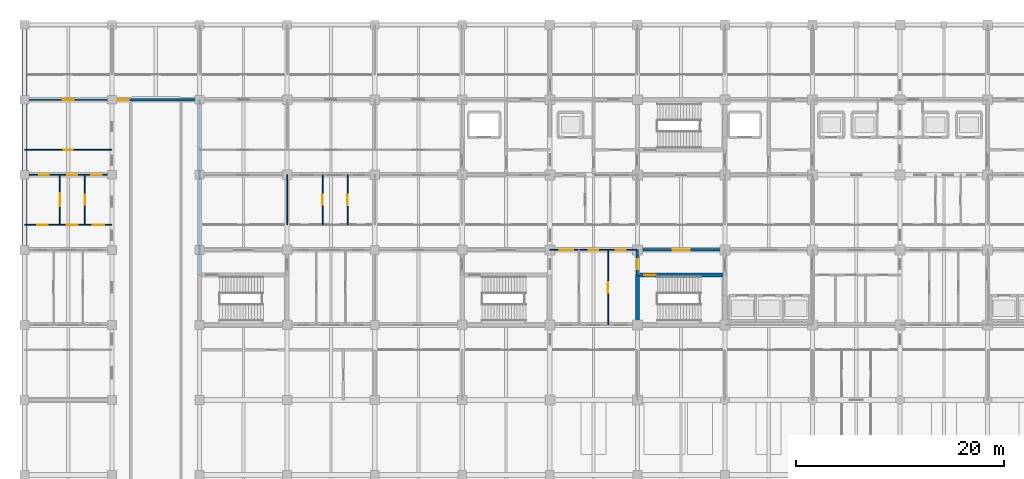
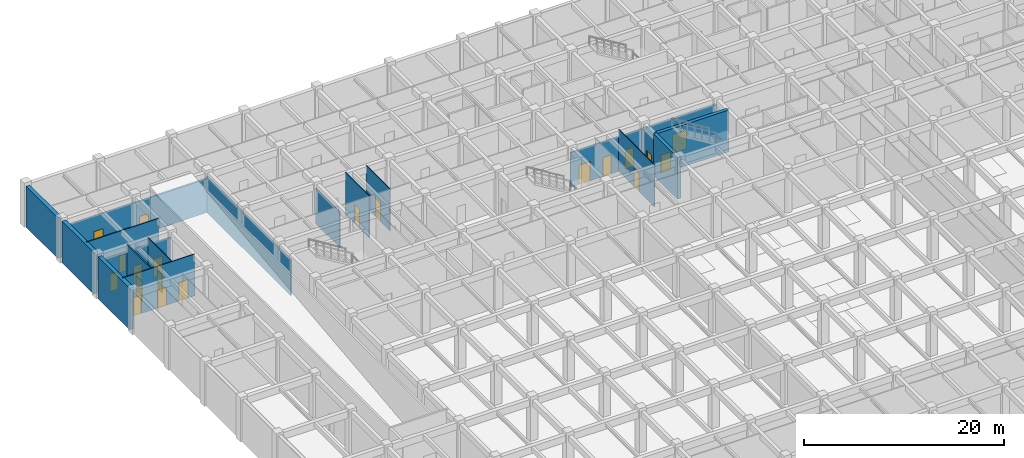
# One storey, part 21 of 48: 20 doors, 20 walls, 20 openings.
"""IFC4 building model written with IfcOpenShell, lengths in metres."""

from ifc_helpers import new_model, si_unit, direction, frame, frame_2d, origin, place, context, subcontext, project, spatial, rectangle, extrude, material, layer, layer_set, type_object, element, fill, save


model = new_model("IFC4")

# Units and contexts
model_context = context("Model", 3, precision=1e-05, world=origin(), true_north=direction((0.0, 1.0)))
body_context = subcontext(model_context, "Body", "Model", "MODEL_VIEW")
ifc_project = project(units=[si_unit("LENGTHUNIT", "METRE"), si_unit("AREAUNIT", "SQUARE_METRE"), si_unit("VOLUMEUNIT", "CUBIC_METRE"), si_unit("PLANEANGLEUNIT", "RADIAN"), si_unit("MASSUNIT", "GRAM", prefix="KILO")], contexts=[model_context])

# Site, building, storey
site_placement = place(None, origin())
site = spatial("IfcSite", under=ifc_project, at=site_placement, CompositionType="ELEMENT")
building_placement = place(site_placement, origin())
building = spatial("IfcBuilding", under=site, at=building_placement, Name="Chengyuan Square Courthouse", CompositionType="ELEMENT")
storey_placement = place(building_placement, frame((0.0, 0.0, -5.39990234375)))
storey = spatial("IfcBuildingStorey", under=building, at=storey_placement, Name="B01", CompositionType="ELEMENT", Elevation=-5.39990234375)

# Wall, opening, door
ifc_material_1 = material(Name="Concrete C40", Category="concrete")
ifc_layer_1 = layer(ifc_material_1, 0.25)
ifc_layer_set_1 = layer_set([ifc_layer_1], Name="Concrete C40")
wall_type_1 = type_object("IfcWallType", Name="WL-FW1", PredefinedType="STANDARD", material=ifc_layer_set_1)
wall_1_placement = place(storey_placement, frame((58.800048828125, 93.60009765625, 0.0), z_axis=(0.0, 0.0, 1.0), x_axis=(1.0, 0.0, 0.0)))
wall_1 = element("IfcWall", 1, at=wall_1_placement, inside=storey, type_object=wall_type_1, Name="Interior Wall WL-B01-I341", PredefinedType="STANDARD", context=body_context, shape_type="SweptSolid", body=[
    extrude(rectangle(XDim=8.39990234375, YDim=0.25, at=frame_2d((4.199951171875, 0.0))), origin(), (0.0, 0.0, 1.0), 4.25),
])
opening_1_placement = place(wall_1_placement, frame((3.39990234375, 0.0, 0.0)))
opening_1 = element("IfcOpeningElement", 2, at=opening_1_placement, cuts=wall_1, Name="Opening DR-352", PredefinedType="OPENING", context=body_context, shape_type="SweptSolid", body=[
    extrude(rectangle(XDim=1.60009765625, YDim=2.300048828125, at=frame_2d((0.800048828125, 1.14990234375))), frame((0.0, 0.136962890625, 0.0), z_axis=(0.0, -1.0, 0.0), x_axis=(1.0, 0.0, 0.0)), (0.0, 0.0, 1.0), 0.27392578125),
])
ifc_material_2 = material(Name="Steel Q235B Glazed Fire Door", Category="steel")
door_type_1 = type_object("IfcDoorType", Name="DT-17", OperationType="DOUBLE_DOOR_SINGLE_SWING", PredefinedType="DOOR", material=ifc_material_2)
door_1_placement = place(opening_1_placement, frame((1.60009765625, 0.0, 0.0), z_axis=(0.0, 0.0, 1.0), x_axis=(-1.0, 0.0, 0.0)))
door_1 = element("IfcDoor", 3, at=door_1_placement, inside=storey, type_object=door_type_1, Name="Interior Door DR-352", OperationType="DOUBLE_DOOR_SINGLE_SWING", OverallHeight=2.300048828125, OverallWidth=1.60009765625, PredefinedType="DOOR", context=body_context, shape_type="SweptSolid", body=[
    extrude(rectangle(XDim=1.60009765625, YDim=2.300048828125, at=frame_2d((0.800048828125, 1.14990234375))), frame((0.0, 0.02490234375, 0.0), z_axis=(0.0, -1.0, 0.0), x_axis=(1.0, 0.0, 0.0)), (0.0, 0.0, 1.0), 0.050048828125),
])
fill(opening_1, door_1)

wall_2_placement = place(storey_placement, frame((58.800048828125, 91.199951171875, 0.0), z_axis=(0.0, 0.0, 1.0), x_axis=(0.0, 1.0, 0.0)))
wall_2 = element("IfcWall", 4, at=wall_2_placement, inside=storey, type_object=wall_type_1, Name="Interior Wall WL-B01-I486", PredefinedType="STANDARD", context=body_context, shape_type="SweptSolid", body=[
    extrude(rectangle(XDim=2.400146484375, YDim=0.25, at=frame_2d((1.2001953125, 0.0))), origin(), (0.0, 0.0, 1.0), 4.349853515625),
])
opening_2_placement = place(wall_2_placement, frame((0.527587890625, 0.0, 0.0)))
opening_2 = element("IfcOpeningElement", 5, at=opening_2_placement, cuts=wall_2, Name="Opening DR-353", PredefinedType="OPENING", context=body_context, shape_type="SweptSolid", body=[
    extrude(rectangle(XDim=0.949951171875, YDim=2.14990234375, at=frame_2d((0.47509765625, 1.074951171875))), frame((0.0, 0.136962890625, 0.0), z_axis=(0.0, -1.0, 0.0), x_axis=(1.0, 0.0, 0.0)), (0.0, 0.0, 1.0), 0.27392578125),
])
ifc_material_3 = material(Name="Steel Q235B Fire Door", Category="steel")
door_type_2 = type_object("IfcDoorType", Name="DT-12", OperationType="NOTDEFINED", PredefinedType="DOOR", material=ifc_material_3)
door_2_placement = place(opening_2_placement, origin())
door_2 = element("IfcDoor", 6, at=door_2_placement, inside=storey, type_object=door_type_2, Name="Interior Door DR-353", OperationType="SINGLE_SWING_LEFT", OverallHeight=2.14990234375, OverallWidth=0.949951171875, PredefinedType="DOOR", context=body_context, shape_type="SweptSolid", body=[
    extrude(rectangle(XDim=0.949951171875, YDim=2.14990234375, at=frame_2d((0.47509765625, 1.074951171875))), frame((0.0, 0.02490234375, 0.0), z_axis=(0.0, -1.0, 0.0), x_axis=(1.0, 0.0, 0.0)), (0.0, 0.0, 1.0), 0.050048828125),
])
fill(opening_2, door_2)

# Wall, openings, doors
ifc_material_4 = material(Name="Gypsum Plasterboard Acoustic Stud Partition")
ifc_layer_2 = layer(ifc_material_4, 0.10009765625)
ifc_layer_set_2 = layer_set([ifc_layer_2], Name="Gypsum Plasterboard Acoustic Stud Partition")
wall_type_2 = type_object("IfcWallType", Name="WL-PT6", PredefinedType="STANDARD", material=ifc_layer_set_2)
wall_3_placement = place(storey_placement, frame((50.39990234375, 93.60009765625, 0.0), z_axis=(0.0, 0.0, 1.0), x_axis=(1.0, 0.0, 0.0)))
wall_3 = element("IfcWall", 7, at=wall_3_placement, inside=storey, type_object=wall_type_2, Name="Interior Wall WL-B01-I340", PredefinedType="STANDARD", context=body_context, shape_type="SweptSolid", body=[
    extrude(rectangle(XDim=8.400146484375, YDim=0.10009765625, at=frame_2d((4.2001953125, 0.0))), origin(), (0.0, 0.0, 1.0), 4.25),
])
opening_3_placement = place(wall_3_placement, frame((0.95751953125, 0.0, 0.0)))
opening_3 = element("IfcOpeningElement", 8, at=opening_3_placement, cuts=wall_3, Name="Opening DR-504", PredefinedType="OPENING", context=body_context, shape_type="SweptSolid", body=[
    extrude(rectangle(XDim=1.280029296875, YDim=2.35009765625, at=frame_2d((0.64013671875, 1.175048828125))), frame((0.0, 0.06201171875, 0.0), z_axis=(0.0, -1.0, 0.0), x_axis=(1.0, 0.0, 0.0)), (0.0, 0.0, 1.0), 0.1240234375),
])
opening_4_placement = place(wall_3_placement, frame((3.72998046875, 0.0, 0.0)))
opening_4 = element("IfcOpeningElement", 9, at=opening_4_placement, cuts=wall_3, Name="Opening DR-505", PredefinedType="OPENING", context=body_context, shape_type="SweptSolid", body=[
    extrude(rectangle(XDim=0.93994140625, YDim=2.300048828125, at=frame_2d((0.469970703125, 1.14990234375))), frame((0.0, 0.06201171875, 0.0), z_axis=(0.0, -1.0, 0.0), x_axis=(1.0, 0.0, 0.0)), (0.0, 0.0, 1.0), 0.1240234375),
])
opening_5_placement = place(wall_3_placement, frame((6.3125, 0.0, 0.0)))
opening_5 = element("IfcOpeningElement", 10, at=opening_5_placement, cuts=wall_3, Name="Opening DR-506", PredefinedType="OPENING", context=body_context, shape_type="SweptSolid", body=[
    extrude(rectangle(XDim=0.97998046875, YDim=2.35009765625, at=frame_2d((0.489990234375, 1.175048828125))), frame((0.0, 0.06201171875, 0.0), z_axis=(0.0, -1.0, 0.0), x_axis=(1.0, 0.0, 0.0)), (0.0, 0.0, 1.0), 0.1240234375),
])
ifc_material_5 = material(Name="Acoustic Solid-Core Timber Door", Category="wood")
door_type_3 = type_object("IfcDoorType", Name="DT-38", OperationType="NOTDEFINED", PredefinedType="DOOR", material=ifc_material_5)
door_3_placement = place(opening_3_placement, origin())
door_3 = element("IfcDoor", 11, at=door_3_placement, inside=storey, type_object=door_type_3, Name="Interior Door DR-504", OperationType="SINGLE_SWING_RIGHT", OverallHeight=2.35009765625, OverallWidth=1.280029296875, PredefinedType="DOOR", context=body_context, shape_type="SweptSolid", body=[
    extrude(rectangle(XDim=1.280029296875, YDim=2.35009765625, at=frame_2d((0.64013671875, 1.175048828125))), frame((0.0, 0.02490234375, 0.0), z_axis=(0.0, -1.0, 0.0), x_axis=(1.0, 0.0, 0.0)), (0.0, 0.0, 1.0), 0.050048828125),
])
fill(opening_3, door_3)
door_type_4 = type_object("IfcDoorType", Name="DT-39", OperationType="NOTDEFINED", PredefinedType="DOOR", material=ifc_material_5)
door_4_placement = place(opening_4_placement, origin())
door_4 = element("IfcDoor", 12, at=door_4_placement, inside=storey, type_object=door_type_4, Name="Interior Door DR-505", OperationType="SINGLE_SWING_LEFT", OverallHeight=2.300048828125, OverallWidth=0.93994140625, PredefinedType="DOOR", context=body_context, shape_type="SweptSolid", body=[
    extrude(rectangle(XDim=0.93994140625, YDim=2.300048828125, at=frame_2d((0.469970703125, 1.14990234375))), frame((0.0, 0.02490234375, 0.0), z_axis=(0.0, -1.0, 0.0), x_axis=(1.0, 0.0, 0.0)), (0.0, 0.0, 1.0), 0.050048828125),
])
fill(opening_4, door_4)
door_type_5 = type_object("IfcDoorType", Name="DT-40", OperationType="NOTDEFINED", PredefinedType="DOOR", material=ifc_material_5)
door_5_placement = place(opening_5_placement, origin())
door_5 = element("IfcDoor", 13, at=door_5_placement, inside=storey, type_object=door_type_5, Name="Interior Door DR-506", OperationType="SINGLE_SWING_RIGHT", OverallHeight=2.35009765625, OverallWidth=0.97998046875, PredefinedType="DOOR", context=body_context, shape_type="SweptSolid", body=[
    extrude(rectangle(XDim=0.97998046875, YDim=2.35009765625, at=frame_2d((0.489990234375, 1.175048828125))), frame((0.0, 0.02490234375, 0.0), z_axis=(0.0, -1.0, 0.0), x_axis=(1.0, 0.0, 0.0)), (0.0, 0.0, 1.0), 0.050048828125),
])
fill(opening_5, door_5)

wall_4_placement = place(storey_placement, frame((0.0400390625, 96.0, 0.0), z_axis=(0.0, 0.0, 1.0), x_axis=(1.0, 0.0, 0.0)))
wall_4 = element("IfcWall", 14, at=wall_4_placement, inside=storey, type_object=wall_type_2, Name="Interior Wall WL-B01-I349", PredefinedType="STANDARD", context=body_context, shape_type="SweptSolid", body=[
    extrude(rectangle(XDim=8.35986328125, YDim=0.10009765625, at=frame_2d((4.179931640625, 0.0))), origin(), (0.0, 0.0, 1.0), 5.099853515625),
])
opening_6_placement = place(wall_4_placement, frame((1.179931640625, 0.0, 0.0)))
opening_6 = element("IfcOpeningElement", 15, at=opening_6_placement, cuts=wall_4, Name="Opening DR-480", PredefinedType="OPENING", context=body_context, shape_type="SweptSolid", body=[
    extrude(rectangle(XDim=1.0, YDim=2.25, at=frame_2d((0.5, 1.125))), frame((0.0, 0.06201171875, 0.0), z_axis=(0.0, -1.0, 0.0), x_axis=(1.0, 0.0, 0.0)), (0.0, 0.0, 1.0), 0.1240234375),
])
opening_7_placement = place(wall_4_placement, frame((4.0400390625, 0.0, 0.0)))
opening_7 = element("IfcOpeningElement", 16, at=opening_7_placement, cuts=wall_4, Name="Opening DR-481", PredefinedType="OPENING", context=body_context, shape_type="SweptSolid", body=[
    extrude(rectangle(XDim=1.0400390625, YDim=2.199951171875, at=frame_2d((0.52001953125, 1.10009765625))), frame((0.0, 0.06201171875, 0.0), z_axis=(0.0, -1.0, 0.0), x_axis=(1.0, 0.0, 0.0)), (0.0, 0.0, 1.0), 0.1240234375),
])
opening_8_placement = place(wall_4_placement, frame((6.52001953125, 0.0, 0.0)))
opening_8 = element("IfcOpeningElement", 17, at=opening_8_placement, cuts=wall_4, Name="Opening DR-482", PredefinedType="OPENING", context=body_context, shape_type="SweptSolid", body=[
    extrude(rectangle(XDim=1.080078125, YDim=2.25, at=frame_2d((0.5400390625, 1.125))), frame((0.0, 0.06201171875, 0.0), z_axis=(0.0, -1.0, 0.0), x_axis=(1.0, 0.0, 0.0)), (0.0, 0.0, 1.0), 0.1240234375),
])
door_type_6 = type_object("IfcDoorType", Name="DT-31", OperationType="NOTDEFINED", PredefinedType="DOOR", material=ifc_material_5)
door_6_placement = place(opening_6_placement, origin())
door_6 = element("IfcDoor", 18, at=door_6_placement, inside=storey, type_object=door_type_6, Name="Interior Door DR-480", OperationType="SINGLE_SWING_RIGHT", OverallHeight=2.25, OverallWidth=1.0, PredefinedType="DOOR", context=body_context, shape_type="SweptSolid", body=[
    extrude(rectangle(XDim=1.0, YDim=2.25, at=frame_2d((0.5, 1.125))), frame((0.0, 0.02490234375, 0.0), z_axis=(0.0, -1.0, 0.0), x_axis=(1.0, 0.0, 0.0)), (0.0, 0.0, 1.0), 0.050048828125),
])
fill(opening_6, door_6)
door_type_7 = type_object("IfcDoorType", Name="DT-32", OperationType="NOTDEFINED", PredefinedType="DOOR", material=ifc_material_5)
door_7_placement = place(opening_7_placement, origin())
door_7 = element("IfcDoor", 19, at=door_7_placement, inside=storey, type_object=door_type_7, Name="Interior Door DR-481", OperationType="SINGLE_SWING_LEFT", OverallHeight=2.199951171875, OverallWidth=1.0400390625, PredefinedType="DOOR", context=body_context, shape_type="SweptSolid", body=[
    extrude(rectangle(XDim=1.0400390625, YDim=2.199951171875, at=frame_2d((0.52001953125, 1.10009765625))), frame((0.0, 0.02490234375, 0.0), z_axis=(0.0, -1.0, 0.0), x_axis=(1.0, 0.0, 0.0)), (0.0, 0.0, 1.0), 0.050048828125),
])
fill(opening_7, door_7)
door_type_8 = type_object("IfcDoorType", Name="DT-33", OperationType="NOTDEFINED", PredefinedType="DOOR", material=ifc_material_5)
door_8_placement = place(opening_8_placement, origin())
door_8 = element("IfcDoor", 20, at=door_8_placement, inside=storey, type_object=door_type_8, Name="Interior Door DR-482", OperationType="SINGLE_SWING_RIGHT", OverallHeight=2.25, OverallWidth=1.080078125, PredefinedType="DOOR", context=body_context, shape_type="SweptSolid", body=[
    extrude(rectangle(XDim=1.080078125, YDim=2.25, at=frame_2d((0.5400390625, 1.125))), frame((0.0, 0.02490234375, 0.0), z_axis=(0.0, -1.0, 0.0), x_axis=(1.0, 0.0, 0.0)), (0.0, 0.0, 1.0), 0.050048828125),
])
fill(opening_8, door_8)

wall_5_placement = place(storey_placement, frame((0.0400390625, 100.800048828125, 0.0), z_axis=(0.0, 0.0, 1.0), x_axis=(1.0, 0.0, 0.0)))
wall_5 = element("IfcWall", 21, at=wall_5_placement, inside=storey, type_object=wall_type_2, Name="Interior Wall WL-B01-I352", PredefinedType="STANDARD", context=body_context, shape_type="SweptSolid", body=[
    extrude(rectangle(XDim=8.35986328125, YDim=0.10009765625, at=frame_2d((4.179931640625, 0.0))), origin(), (0.0, 0.0, 1.0), 4.25),
])
opening_9_placement = place(wall_5_placement, frame((1.37255859375, 0.0, 0.0)))
opening_9 = element("IfcOpeningElement", 22, at=opening_9_placement, cuts=wall_5, Name="Opening DR-444", PredefinedType="OPENING", context=body_context, shape_type="SweptSolid", body=[
    extrude(rectangle(XDim=0.919921875, YDim=2.14990234375, at=frame_2d((0.4599609375, 1.074951171875))), frame((0.0, 0.06201171875, 0.0), z_axis=(0.0, -1.0, 0.0), x_axis=(1.0, 0.0, 0.0)), (0.0, 0.0, 1.0), 0.1240234375),
])
opening_10_placement = place(wall_5_placement, frame((4.080078125, 0.0, 0.0)))
opening_10 = element("IfcOpeningElement", 23, at=opening_10_placement, cuts=wall_5, Name="Opening DR-445", PredefinedType="OPENING", context=body_context, shape_type="SweptSolid", body=[
    extrude(rectangle(XDim=0.9599609375, YDim=2.199951171875, at=frame_2d((0.47998046875, 1.10009765625))), frame((0.0, 0.06201171875, 0.0), z_axis=(0.0, -1.0, 0.0), x_axis=(1.0, 0.0, 0.0)), (0.0, 0.0, 1.0), 0.1240234375),
])
opening_11_placement = place(wall_5_placement, frame((6.387451171875, 0.0, 0.0)))
opening_11 = element("IfcOpeningElement", 24, at=opening_11_placement, cuts=wall_5, Name="Opening DR-446", PredefinedType="OPENING", context=body_context, shape_type="SweptSolid", body=[
    extrude(rectangle(XDim=1.0, YDim=2.25, at=frame_2d((0.5, 1.125))), frame((0.0, 0.06201171875, 0.0), z_axis=(0.0, -1.0, 0.0), x_axis=(1.0, 0.0, 0.0)), (0.0, 0.0, 1.0), 0.1240234375),
])
door_type_9 = type_object("IfcDoorType", Name="DT-29", OperationType="NOTDEFINED", PredefinedType="DOOR", material=ifc_material_5)
door_9_placement = place(opening_9_placement, origin())
door_9 = element("IfcDoor", 25, at=door_9_placement, inside=storey, type_object=door_type_9, Name="Interior Door DR-444", OperationType="SINGLE_SWING_LEFT", OverallHeight=2.14990234375, OverallWidth=0.919921875, PredefinedType="DOOR", context=body_context, shape_type="SweptSolid", body=[
    extrude(rectangle(XDim=0.919921875, YDim=2.14990234375, at=frame_2d((0.4599609375, 1.074951171875))), frame((0.0, 0.02490234375, 0.0), z_axis=(0.0, -1.0, 0.0), x_axis=(1.0, 0.0, 0.0)), (0.0, 0.0, 1.0), 0.050048828125),
])
fill(opening_9, door_9)
door_type_10 = type_object("IfcDoorType", Name="DT-30", OperationType="NOTDEFINED", PredefinedType="DOOR", material=ifc_material_5)
door_10_placement = place(opening_10_placement, origin())
door_10 = element("IfcDoor", 26, at=door_10_placement, inside=storey, type_object=door_type_10, Name="Interior Door DR-445", OperationType="SINGLE_SWING_RIGHT", OverallHeight=2.199951171875, OverallWidth=0.9599609375, PredefinedType="DOOR", context=body_context, shape_type="SweptSolid", body=[
    extrude(rectangle(XDim=0.9599609375, YDim=2.199951171875, at=frame_2d((0.47998046875, 1.10009765625))), frame((0.0, 0.02490234375, 0.0), z_axis=(0.0, -1.0, 0.0), x_axis=(1.0, 0.0, 0.0)), (0.0, 0.0, 1.0), 0.050048828125),
])
fill(opening_10, door_10)
door_11_placement = place(opening_11_placement, origin())
door_11 = element("IfcDoor", 27, at=door_11_placement, inside=storey, type_object=door_type_6, Name="Interior Door DR-446", OperationType="SINGLE_SWING_LEFT", OverallHeight=2.25, OverallWidth=1.0, PredefinedType="DOOR", context=body_context, shape_type="SweptSolid", body=[
    extrude(rectangle(XDim=1.0, YDim=2.25, at=frame_2d((0.5, 1.125))), frame((0.0, 0.02490234375, 0.0), z_axis=(0.0, -1.0, 0.0), x_axis=(1.0, 0.0, 0.0)), (0.0, 0.0, 1.0), 0.050048828125),
])
fill(opening_11, door_11)

# Wall, opening, door
wall_6_placement = place(storey_placement, frame((0.0400390625, 103.199951171875, 0.0), z_axis=(0.0, 0.0, 1.0), x_axis=(1.0, 0.0, 0.0)))
wall_6 = element("IfcWall", 28, at=wall_6_placement, inside=storey, type_object=wall_type_2, Name="Interior Wall WL-B01-I369", PredefinedType="STANDARD", context=body_context, shape_type="SweptSolid", body=[
    extrude(rectangle(XDim=8.35986328125, YDim=0.10009765625, at=frame_2d((4.179931640625, 0.0))), origin(), (0.0, 0.0, 1.0), 5.099853515625),
])
opening_12_placement = place(wall_6_placement, frame((3.75, 0.0, 0.0)))
opening_12 = element("IfcOpeningElement", 29, at=opening_12_placement, cuts=wall_6, Name="Opening DR-443", PredefinedType="OPENING", context=body_context, shape_type="SweptSolid", body=[
    extrude(rectangle(XDim=0.860107421875, YDim=2.10009765625, at=frame_2d((0.43017578125, 1.050048828125))), frame((0.0, 0.06201171875, 0.0), z_axis=(0.0, -1.0, 0.0), x_axis=(1.0, 0.0, 0.0)), (0.0, 0.0, 1.0), 0.1240234375),
])
door_type_11 = type_object("IfcDoorType", Name="DT-28", OperationType="NOTDEFINED", PredefinedType="DOOR", material=ifc_material_5)
door_12_placement = place(opening_12_placement, origin())
door_12 = element("IfcDoor", 30, at=door_12_placement, inside=storey, type_object=door_type_11, Name="Interior Door DR-443", OperationType="SINGLE_SWING_RIGHT", OverallHeight=2.10009765625, OverallWidth=0.860107421875, PredefinedType="DOOR", context=body_context, shape_type="SweptSolid", body=[
    extrude(rectangle(XDim=0.860107421875, YDim=2.10009765625, at=frame_2d((0.43017578125, 1.050048828125))), frame((0.0, 0.02490234375, 0.0), z_axis=(0.0, -1.0, 0.0), x_axis=(1.0, 0.0, 0.0)), (0.0, 0.0, 1.0), 0.050048828125),
])
fill(opening_12, door_12)

# Wall, openings, doors
wall_7_placement = place(storey_placement, frame((0.0400390625, 108.0, 0.0), z_axis=(0.0, 0.0, 1.0), x_axis=(1.0, 0.0, 0.0)))
wall_7 = element("IfcWall", 31, at=wall_7_placement, inside=storey, type_object=wall_type_2, Name="Interior Wall WL-B01-I404", PredefinedType="STANDARD", context=body_context, shape_type="SweptSolid", body=[
    extrude(rectangle(XDim=10.159912109375, YDim=0.10009765625, at=frame_2d((5.080078125, 0.0))), origin(), (0.0, 0.0, 1.0), 4.1298828125),
])
opening_13_placement = place(wall_7_placement, frame((8.91259765625, 0.0, 0.0)))
opening_13 = element("IfcOpeningElement", 32, at=opening_13_placement, cuts=wall_7, Name="Opening DR-379", PredefinedType="OPENING", context=body_context, shape_type="SweptSolid", body=[
    extrude(rectangle(XDim=1.0400390625, YDim=2.199951171875, at=frame_2d((0.52001953125, 1.10009765625))), frame((0.0, 0.06201171875, 0.0), z_axis=(0.0, -1.0, 0.0), x_axis=(1.0, 0.0, 0.0)), (0.0, 0.0, 1.0), 0.1240234375),
])
opening_14_placement = place(wall_7_placement, frame((3.639892578125, 0.0, 0.0)))
opening_14 = element("IfcOpeningElement", 33, at=opening_14_placement, cuts=wall_7, Name="Opening DR-447", PredefinedType="OPENING", context=body_context, shape_type="SweptSolid", body=[
    extrude(rectangle(XDim=1.0400390625, YDim=2.199951171875, at=frame_2d((0.52001953125, 1.10009765625))), frame((0.0, 0.06201171875, 0.0), z_axis=(0.0, -1.0, 0.0), x_axis=(1.0, 0.0, 0.0)), (0.0, 0.0, 1.0), 0.1240234375),
])
door_13_placement = place(opening_13_placement, origin())
door_13 = element("IfcDoor", 34, at=door_13_placement, inside=storey, type_object=door_type_7, Name="Interior Door DR-379", OperationType="SINGLE_SWING_RIGHT", OverallHeight=2.199951171875, OverallWidth=1.0400390625, PredefinedType="DOOR", context=body_context, shape_type="SweptSolid", body=[
    extrude(rectangle(XDim=1.0400390625, YDim=2.199951171875, at=frame_2d((0.52001953125, 1.10009765625))), frame((0.0, 0.02490234375, 0.0), z_axis=(0.0, -1.0, 0.0), x_axis=(1.0, 0.0, 0.0)), (0.0, 0.0, 1.0), 0.050048828125),
])
fill(opening_13, door_13)
door_14_placement = place(opening_14_placement, origin())
door_14 = element("IfcDoor", 35, at=door_14_placement, inside=storey, type_object=door_type_7, Name="Interior Door DR-447", OperationType="SINGLE_SWING_RIGHT", OverallHeight=2.199951171875, OverallWidth=1.0400390625, PredefinedType="DOOR", context=body_context, shape_type="SweptSolid", body=[
    extrude(rectangle(XDim=1.0400390625, YDim=2.199951171875, at=frame_2d((0.52001953125, 1.10009765625))), frame((0.0, 0.02490234375, 0.0), z_axis=(0.0, -1.0, 0.0), x_axis=(1.0, 0.0, 0.0)), (0.0, 0.0, 1.0), 0.050048828125),
])
fill(opening_14, door_14)

# Wall, opening, door
wall_8_placement = place(storey_placement, frame((3.39990234375, 96.0, 0.0), z_axis=(0.0, 0.0, 1.0), x_axis=(0.0, 1.0, 0.0)))
wall_8 = element("IfcWall", 36, at=wall_8_placement, inside=storey, type_object=wall_type_2, Name="Interior Wall WL-B01-I429", PredefinedType="STANDARD", context=body_context, shape_type="SweptSolid", body=[
    extrude(rectangle(XDim=4.800048828125, YDim=0.10009765625, at=frame_2d((2.39990234375, 0.0))), origin(), (0.0, 0.0, 1.0), 5.099853515625),
])
opening_15_placement = place(wall_8_placement, frame((1.760009765625, 0.0, 0.0)))
opening_15 = element("IfcOpeningElement", 37, at=opening_15_placement, cuts=wall_8, Name="Opening DR-538", PredefinedType="OPENING", context=body_context, shape_type="SweptSolid", body=[
    extrude(rectangle(XDim=1.280029296875, YDim=2.35009765625, at=frame_2d((0.64013671875, 1.175048828125))), frame((0.0, 0.06201171875, 0.0), z_axis=(0.0, -1.0, 0.0), x_axis=(1.0, 0.0, 0.0)), (0.0, 0.0, 1.0), 0.1240234375),
])
door_15_placement = place(opening_15_placement, origin())
door_15 = element("IfcDoor", 38, at=door_15_placement, inside=storey, type_object=door_type_3, Name="Interior Door DR-538", OperationType="SINGLE_SWING_LEFT", OverallHeight=2.35009765625, OverallWidth=1.280029296875, PredefinedType="DOOR", context=body_context, shape_type="SweptSolid", body=[
    extrude(rectangle(XDim=1.280029296875, YDim=2.35009765625, at=frame_2d((0.64013671875, 1.175048828125))), frame((0.0, 0.02490234375, 0.0), z_axis=(0.0, -1.0, 0.0), x_axis=(1.0, 0.0, 0.0)), (0.0, 0.0, 1.0), 0.050048828125),
])
fill(opening_15, door_15)

wall_9_placement = place(storey_placement, frame((5.800048828125, 96.0, 0.0), z_axis=(0.0, 0.0, 1.0), x_axis=(0.0, 1.0, 0.0)))
wall_9 = element("IfcWall", 39, at=wall_9_placement, inside=storey, type_object=wall_type_2, Name="Interior Wall WL-B01-I431", PredefinedType="STANDARD", context=body_context, shape_type="SweptSolid", body=[
    extrude(rectangle(XDim=4.800048828125, YDim=0.10009765625, at=frame_2d((2.39990234375, 0.0))), origin(), (0.0, 0.0, 1.0), 5.099853515625),
])
opening_16_placement = place(wall_9_placement, frame((1.929931640625, 0.0, 0.0)))
opening_16 = element("IfcOpeningElement", 40, at=opening_16_placement, cuts=wall_9, Name="Opening DR-539", PredefinedType="OPENING", context=body_context, shape_type="SweptSolid", body=[
    extrude(rectangle(XDim=0.93994140625, YDim=2.300048828125, at=frame_2d((0.469970703125, 1.14990234375))), frame((0.0, 0.06201171875, 0.0), z_axis=(0.0, -1.0, 0.0), x_axis=(1.0, 0.0, 0.0)), (0.0, 0.0, 1.0), 0.1240234375),
])
door_16_placement = place(opening_16_placement, origin())
door_16 = element("IfcDoor", 41, at=door_16_placement, inside=storey, type_object=door_type_4, Name="Interior Door DR-539", OperationType="SINGLE_SWING_RIGHT", OverallHeight=2.300048828125, OverallWidth=0.93994140625, PredefinedType="DOOR", context=body_context, shape_type="SweptSolid", body=[
    extrude(rectangle(XDim=0.93994140625, YDim=2.300048828125, at=frame_2d((0.469970703125, 1.14990234375))), frame((0.0, 0.02490234375, 0.0), z_axis=(0.0, -1.0, 0.0), x_axis=(1.0, 0.0, 0.0)), (0.0, 0.0, 1.0), 0.050048828125),
])
fill(opening_16, door_16)

# Wall
wall_10_placement = place(storey_placement, frame((25.199951171875, 96.0, 0.0), z_axis=(0.0, 0.0, 1.0), x_axis=(0.0, 1.0, 0.0)))
element("IfcWall", 42, at=wall_10_placement, inside=storey, type_object=wall_type_2, Name="Interior Wall WL-B01-I447", PredefinedType="STANDARD", context=body_context, shape_type="SweptSolid", body=[
    extrude(rectangle(XDim=4.800048828125, YDim=0.10009765625, at=frame_2d((2.39990234375, 0.0))), origin(), (0.0, 0.0, 1.0), 4.349853515625),
])

# Wall, opening, door
wall_11_placement = place(storey_placement, frame((28.60009765625, 96.0, 0.0), z_axis=(0.0, 0.0, 1.0), x_axis=(0.0, 1.0, 0.0)))
wall_11 = element("IfcWall", 43, at=wall_11_placement, inside=storey, type_object=wall_type_2, Name="Interior Wall WL-B01-I451", PredefinedType="STANDARD", context=body_context, shape_type="SweptSolid", body=[
    extrude(rectangle(XDim=4.800048828125, YDim=0.10009765625, at=frame_2d((2.39990234375, 0.0))), origin(), (0.0, 0.0, 1.0), 5.099853515625),
])
opening_17_placement = place(wall_11_placement, frame((1.909912109375, 0.0, 0.0)))
opening_17 = element("IfcOpeningElement", 44, at=opening_17_placement, cuts=wall_11, Name="Opening DR-540", PredefinedType="OPENING", context=body_context, shape_type="SweptSolid", body=[
    extrude(rectangle(XDim=0.97998046875, YDim=2.35009765625, at=frame_2d((0.489990234375, 1.175048828125))), frame((0.0, 0.06201171875, 0.0), z_axis=(0.0, -1.0, 0.0), x_axis=(1.0, 0.0, 0.0)), (0.0, 0.0, 1.0), 0.1240234375),
])
door_17_placement = place(opening_17_placement, origin())
door_17 = element("IfcDoor", 45, at=door_17_placement, inside=storey, type_object=door_type_5, Name="Interior Door DR-540", OperationType="SINGLE_SWING_LEFT", OverallHeight=2.35009765625, OverallWidth=0.97998046875, PredefinedType="DOOR", context=body_context, shape_type="SweptSolid", body=[
    extrude(rectangle(XDim=0.97998046875, YDim=2.35009765625, at=frame_2d((0.489990234375, 1.175048828125))), frame((0.0, 0.02490234375, 0.0), z_axis=(0.0, -1.0, 0.0), x_axis=(1.0, 0.0, 0.0)), (0.0, 0.0, 1.0), 0.050048828125),
])
fill(opening_17, door_17)

wall_12_placement = place(storey_placement, frame((31.0, 96.0, 0.0), z_axis=(0.0, 0.0, 1.0), x_axis=(0.0, 1.0, 0.0)))
wall_12 = element("IfcWall", 46, at=wall_12_placement, inside=storey, type_object=wall_type_2, Name="Interior Wall WL-B01-I454", PredefinedType="STANDARD", context=body_context, shape_type="SweptSolid", body=[
    extrude(rectangle(XDim=4.800048828125, YDim=0.10009765625, at=frame_2d((2.39990234375, 0.0))), origin(), (0.0, 0.0, 1.0), 5.099853515625),
])
opening_18_placement = place(wall_12_placement, frame((1.889892578125, 0.0, 0.0)))
opening_18 = element("IfcOpeningElement", 47, at=opening_18_placement, cuts=wall_12, Name="Opening DR-541", PredefinedType="OPENING", context=body_context, shape_type="SweptSolid", body=[
    extrude(rectangle(XDim=1.02001953125, YDim=2.39990234375, at=frame_2d((0.510009765625, 1.199951171875))), frame((0.0, 0.06201171875, 0.0), z_axis=(0.0, -1.0, 0.0), x_axis=(1.0, 0.0, 0.0)), (0.0, 0.0, 1.0), 0.1240234375),
])
door_type_12 = type_object("IfcDoorType", Name="DT-41", OperationType="NOTDEFINED", PredefinedType="DOOR", material=ifc_material_5)
door_18_placement = place(opening_18_placement, origin())
door_18 = element("IfcDoor", 48, at=door_18_placement, inside=storey, type_object=door_type_12, Name="Interior Door DR-541", OperationType="SINGLE_SWING_RIGHT", OverallHeight=2.39990234375, OverallWidth=1.02001953125, PredefinedType="DOOR", context=body_context, shape_type="SweptSolid", body=[
    extrude(rectangle(XDim=1.02001953125, YDim=2.39990234375, at=frame_2d((0.510009765625, 1.199951171875))), frame((0.0, 0.02490234375, 0.0), z_axis=(0.0, -1.0, 0.0), x_axis=(1.0, 0.0, 0.0)), (0.0, 0.0, 1.0), 0.050048828125),
])
fill(opening_18, door_18)

wall_13_placement = place(storey_placement, frame((56.0, 86.39990234375, 0.0), z_axis=(0.0, 0.0, 1.0), x_axis=(0.0, 1.0, 0.0)))
wall_13 = element("IfcWall", 49, at=wall_13_placement, inside=storey, type_object=wall_type_2, Name="Interior Wall WL-B01-I482", PredefinedType="STANDARD", context=body_context, shape_type="SweptSolid", body=[
    extrude(rectangle(XDim=7.2001953125, YDim=0.10009765625, at=frame_2d((3.60009765625, 0.0))), origin(), (0.0, 0.0, 1.0), 5.099853515625),
])
opening_19_placement = place(wall_13_placement, frame((3.10009765625, 0.0, 0.0)))
opening_19 = element("IfcOpeningElement", 50, at=opening_19_placement, cuts=wall_13, Name="Opening DR-565", PredefinedType="OPENING", context=body_context, shape_type="SweptSolid", body=[
    extrude(rectangle(XDim=1.0, YDim=2.25, at=frame_2d((0.5, 1.125))), frame((0.0, 0.06201171875, 0.0), z_axis=(0.0, -1.0, 0.0), x_axis=(1.0, 0.0, 0.0)), (0.0, 0.0, 1.0), 0.1240234375),
])
door_19_placement = place(opening_19_placement, origin())
door_19 = element("IfcDoor", 51, at=door_19_placement, inside=storey, type_object=door_type_6, Name="Interior Door DR-565", OperationType="SINGLE_SWING_RIGHT", OverallHeight=2.25, OverallWidth=1.0, PredefinedType="DOOR", context=body_context, shape_type="SweptSolid", body=[
    extrude(rectangle(XDim=1.0, YDim=2.25, at=frame_2d((0.5, 1.125))), frame((0.0, 0.02490234375, 0.0), z_axis=(0.0, -1.0, 0.0), x_axis=(1.0, 0.0, 0.0)), (0.0, 0.0, 1.0), 0.050048828125),
])
fill(opening_19, door_19)

# Walls
ifc_layer_3 = layer(ifc_material_1, 0.449951171875)
ifc_layer_set_3 = layer_set([ifc_layer_3], Name="Concrete C40")
wall_type_3 = type_object("IfcWallType", Name="WL-RW2", PredefinedType="USERDEFINED", material=ifc_layer_set_3)
wall_14_placement = place(storey_placement, frame((0.0, 94.02001953125, 0.0), z_axis=(0.0, 0.0, 1.0), x_axis=(0.0, 1.0, 0.0)))
element("IfcWall", 52, at=wall_14_placement, inside=storey, type_object=wall_type_3, Name="Basement Retaining Wall WL-B01-E087", ObjectType="RETAININGWALL", PredefinedType="USERDEFINED", context=body_context, shape_type="SweptSolid", body=[
    extrude(rectangle(XDim=6.35986328125, YDim=0.449951171875, at=frame_2d((3.179931640625, 0.0))), origin(), (0.0, 0.0, 1.0), 5.099853515625),
])
wall_15_placement = place(storey_placement, frame((0.0, 101.219970703125, 0.0), z_axis=(0.0, 0.0, 1.0), x_axis=(0.0, 1.0, 0.0)))
element("IfcWall", 53, at=wall_15_placement, inside=storey, type_object=wall_type_3, Name="Basement Retaining Wall WL-B01-E088", ObjectType="RETAININGWALL", PredefinedType="USERDEFINED", context=body_context, shape_type="SweptSolid", body=[
    extrude(rectangle(XDim=6.360107421875, YDim=0.449951171875, at=frame_2d((3.18017578125, 0.0))), origin(), (0.0, 0.0, 1.0), 5.099853515625),
])
wall_16_placement = place(storey_placement, frame((0.0, 108.419921875, 0.0), z_axis=(0.0, 0.0, 1.0), x_axis=(0.0, 1.0, 0.0)))
element("IfcWall", 54, at=wall_16_placement, inside=storey, type_object=wall_type_3, Name="Basement Retaining Wall WL-B01-E090", ObjectType="RETAININGWALL", PredefinedType="USERDEFINED", context=body_context, shape_type="SweptSolid", body=[
    extrude(rectangle(XDim=6.360107421875, YDim=0.449951171875, at=frame_2d((3.18017578125, 0.0))), origin(), (0.0, 0.0, 1.0), 4.97998046875),
])
ifc_material_6 = material(Name="Reinforced Masonry Shaft Enclosure", Category="masonry")
ifc_layer_4 = layer(ifc_material_6, 0.199951171875)
ifc_layer_set_4 = layer_set([ifc_layer_4], Name="Reinforced Masonry Shaft Enclosure")
wall_type_4 = type_object("IfcWallType", Name="WL-SH1", PredefinedType="STANDARD", material=ifc_layer_set_4)
wall_17_placement = place(storey_placement, frame((10.199951171875, 108.0, 0.0), z_axis=(0.0, 0.0, 1.0), x_axis=(1.0, 0.0, 0.0)))
element("IfcWall", 55, at=wall_17_placement, inside=storey, type_object=wall_type_4, Name="Interior Wall WL-B01-I405", PredefinedType="STANDARD", context=body_context, shape_type="SweptSolid", body=[
    extrude(rectangle(XDim=6.60009765625, YDim=0.199951171875, at=frame_2d((3.300048828125, 0.0))), origin(), (0.0, 0.0, 1.0), 4.1298828125),
])
wall_18_placement = place(storey_placement, frame((16.800048828125, 91.199951171875, 0.0), z_axis=(0.0, 0.0, 1.0), x_axis=(0.0, 1.0, 0.0)))
element("IfcWall", 56, at=wall_18_placement, inside=storey, type_object=wall_type_4, Name="Interior Wall WL-B01-I443", PredefinedType="STANDARD", context=body_context, shape_type="SweptSolid", body=[
    extrude(rectangle(XDim=16.800048828125, YDim=0.199951171875, at=frame_2d((8.39990234375, 0.0))), origin(), (0.0, 0.0, 1.0), 4.349853515625),
])

# Wall, opening, door
ifc_material_7 = material(Name="Concrete C50", Category="concrete")
ifc_layer_5 = layer(ifc_material_7, 0.39990234375)
ifc_layer_set_5 = layer_set([ifc_layer_5], Name="Concrete C50")
wall_type_5 = type_object("IfcWallType", Name="WL-SW1", PredefinedType="SHEAR", material=ifc_layer_set_5)
wall_19_placement = place(storey_placement, frame((58.800048828125, 91.199951171875, 0.0), z_axis=(0.0, 0.0, 1.0), x_axis=(1.0, 0.0, 0.0)))
wall_19 = element("IfcWall", 57, at=wall_19_placement, inside=storey, type_object=wall_type_5, Name="Interior Wall WL-B01-I331", PredefinedType="SHEAR", context=body_context, shape_type="SweptSolid", body=[
    extrude(rectangle(XDim=8.39990234375, YDim=0.39990234375, at=frame_2d((4.199951171875, 0.0))), origin(), (0.0, 0.0, 1.0), 5.099853515625),
])
opening_20_placement = place(wall_19_placement, frame((0.64990234375, 0.0, 0.0)))
opening_20 = element("IfcOpeningElement", 58, at=opening_20_placement, cuts=wall_19, Name="Opening DR-337", PredefinedType="OPENING", context=body_context, shape_type="SweptSolid", body=[
    extrude(rectangle(XDim=1.10009765625, YDim=2.199951171875, at=frame_2d((0.550048828125, 1.10009765625))), frame((0.0, 0.2119140625, 0.0), z_axis=(0.0, -1.0, 0.0), x_axis=(1.0, 0.0, 0.0)), (0.0, 0.0, 1.0), 0.423828125),
])
door_type_13 = type_object("IfcDoorType", Name="DT-10", OperationType="NOTDEFINED", PredefinedType="DOOR", material=ifc_material_3)
door_20_placement = place(opening_20_placement, frame((1.10009765625, 0.0, 0.0), z_axis=(0.0, 0.0, 1.0), x_axis=(-1.0, 0.0, 0.0)))
door_20 = element("IfcDoor", 59, at=door_20_placement, inside=storey, type_object=door_type_13, Name="Smoke-Proof Stairwell Fire Door ST-3 DR-337", OperationType="SINGLE_SWING_RIGHT", OverallHeight=2.199951171875, OverallWidth=1.10009765625, PredefinedType="DOOR", context=body_context, shape_type="SweptSolid", body=[
    extrude(rectangle(XDim=1.10009765625, YDim=2.199951171875, at=frame_2d((0.550048828125, 1.10009765625))), frame((0.0, 0.02490234375, 0.0), z_axis=(0.0, -1.0, 0.0), x_axis=(1.0, 0.0, 0.0)), (0.0, 0.0, 1.0), 0.050048828125),
])
fill(opening_20, door_20)

# Wall
wall_20_placement = place(storey_placement, frame((58.800048828125, 86.39990234375, 0.0), z_axis=(0.0, 0.0, 1.0), x_axis=(0.0, 1.0, 0.0)))
element("IfcWall", 60, at=wall_20_placement, inside=storey, type_object=wall_type_5, Name="Interior Wall WL-B01-I485", PredefinedType="SHEAR", context=body_context, shape_type="SweptSolid", body=[
    extrude(rectangle(XDim=4.800048828125, YDim=0.39990234375, at=frame_2d((2.39990234375, 0.0))), origin(), (0.0, 0.0, 1.0), 5.099853515625),
])

save(model, "model.ifc")
